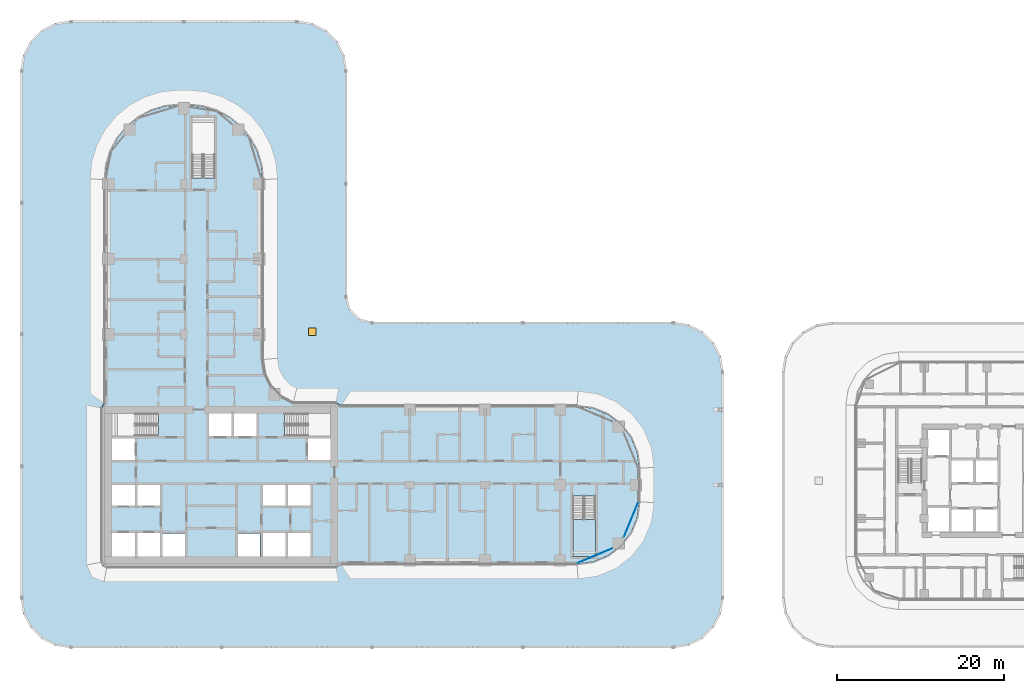
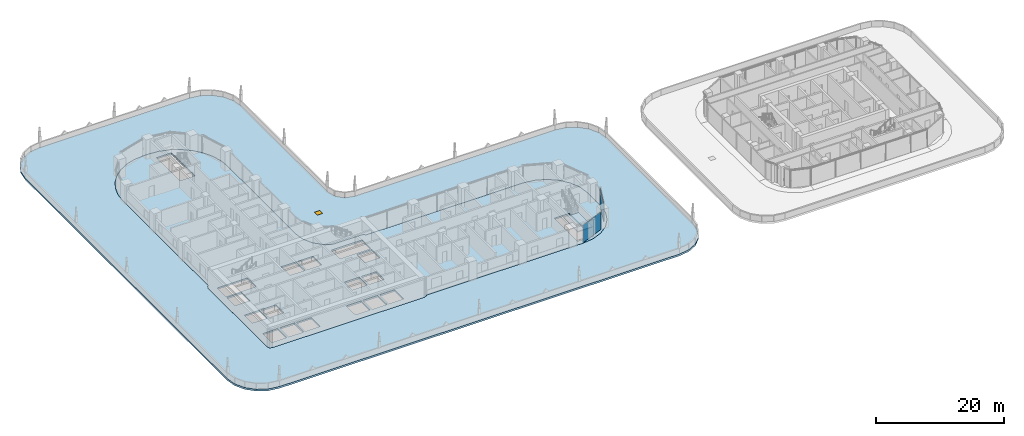
# One storey, part 17 of 51: 3 slabs, 2 plates, 1 window, 1 opening, 3 elements without a shape of their own.
"""IFC4 building model written with IfcOpenShell, lengths in metres."""

from ifc_helpers import new_model, si_unit, direction, frame, origin, origin_2d, place, context, subcontext, project, spatial, polyline, rectangle, outline, extrude, material, layer, layer_set, type_object, element, fill, aggregate, save


model = new_model("IFC4")

# Units and contexts
model_context = context("Model", 3, precision=1e-05, world=origin(), true_north=direction((0.0, 1.0)))
body_context = subcontext(model_context, "Body", "Model", "MODEL_VIEW")
ifc_project = project(units=[si_unit("LENGTHUNIT", "METRE"), si_unit("AREAUNIT", "SQUARE_METRE"), si_unit("VOLUMEUNIT", "CUBIC_METRE"), si_unit("PLANEANGLEUNIT", "RADIAN"), si_unit("MASSUNIT", "GRAM", prefix="KILO")], contexts=[model_context])

# Site, building, storey
site_placement = place(None, origin())
site = spatial("IfcSite", under=ifc_project, at=site_placement, CompositionType="ELEMENT")
building_placement = place(site_placement, origin())
building = spatial("IfcBuilding", under=site, at=building_placement, Name="Ogive Portal Towers", CompositionType="ELEMENT")
storey_placement = place(building_placement, frame((0.0, 0.0, 33.5)))
storey = spatial("IfcBuildingStorey", under=building, at=storey_placement, Name="L06", CompositionType="ELEMENT", Elevation=33.5)

# Curtain wall, plate
ifc_material_1 = material(Name="Glass, clear low-iron insulated glazing", Category="glass")
curtain_wall_type = type_object("IfcCurtainWallType", Name="CW FRONT RIBBON 4500", PredefinedType="NOTDEFINED", material=ifc_material_1)
curtain_wall_1_placement = place(storey_placement, origin())
curtain_wall_1 = element("IfcCurtainWall", 1, at=curtain_wall_1_placement, inside=storey, type_object=curtain_wall_type, Name="A:L06:f22:cwa~0", PredefinedType="NOTDEFINED")
ifc_layer_1 = layer(ifc_material_1, 0.028076171875)
ifc_layer_set_1 = layer_set([ifc_layer_1], Name="CW PANEL IGU 28")
plate_type = type_object("IfcPlateType", Name="CW PANEL IGU 28", PredefinedType="CURTAIN_PANEL", material=ifc_layer_set_1)
plate_1_placement = place(storey_placement, frame((89.616943359375, 22.03857421875, 0.0), z_axis=(0.0, 0.0, 1.0), x_axis=(0.923879532511, 0.382683432365, 0.0)))
plate_1 = element("IfcPlate", 2, at=plate_1_placement, type_object=plate_type, Name="panel", PredefinedType="CURTAIN_PANEL", context=body_context, shape_type="SweptSolid", body=[
    extrude(rectangle(XDim=4.557373046875, YDim=0.028076171875, at=origin_2d()), origin(), (0.0, 0.0, 1.0), 3.340087890625),
])
aggregate(curtain_wall_1, [plate_1])

curtain_wall_2_placement = place(storey_placement, origin())
curtain_wall_2 = element("IfcCurtainWall", 3, at=curtain_wall_2_placement, inside=storey, type_object=curtain_wall_type, Name="A:L06:f22:cwa~1", PredefinedType="NOTDEFINED")
plate_2_placement = place(storey_placement, frame((93.96142578125, 26.383056640625, 0.0), z_axis=(0.0, 0.0, 1.0), x_axis=(0.382683432365, 0.923879532511, 0.0)))
plate_2 = element("IfcPlate", 4, at=plate_2_placement, type_object=plate_type, Name="panel", PredefinedType="CURTAIN_PANEL", context=body_context, shape_type="SweptSolid", body=[
    extrude(rectangle(XDim=4.557373046875, YDim=0.028076171875, at=origin_2d()), origin(), (0.0, 0.0, 1.0), 3.340087890625),
])
aggregate(curtain_wall_2, [plate_2])

# Stair, slab
ifc_material_2 = material(Name="Concrete C40/50", Category="concrete")
stair_type = type_object("IfcStairType", Name="INT-STAIR", PredefinedType="HALF_TURN_STAIR", material=ifc_material_2)
stair_placement = place(storey_placement, origin())
stair = element("IfcStair", 5, at=stair_placement, inside=storey, type_object=stair_type, Name="L06 Exit Stair ST-A4", PredefinedType="HALF_TURN_STAIR")
ifc_layer_2 = layer(ifc_material_2, 0.199951171875)
ifc_layer_set_2 = layer_set([ifc_layer_2], Name="INT-LANDING")
slab_type_1 = type_object("IfcSlabType", Name="INT-LANDING", PredefinedType="LANDING", material=ifc_layer_set_2)
slab_1_placement = place(storey_placement, frame((0.0, 0.0, 1.64990234375)))
slab_1 = element("IfcSlab", 6, at=slab_1_placement, type_object=slab_type_1, Name="ST-A4 landing 1", PredefinedType="LANDING", context=body_context, shape_type="SweptSolid", body=[
    extrude(outline(polyline([(87.0, 26.3701171875), (87.0, 21.949951171875), (89.699951171875, 21.949951171875), (89.699951171875, 26.3701171875), (87.0, 26.3701171875)])), origin(), (0.0, 0.0, 1.0), 0.2001953125),
])
aggregate(stair, [slab_1])

# Slab
ifc_material_3 = material(Name="Concrete C45/55", Category="concrete")
ifc_layer_3 = layer(ifc_material_3, 0.300048828125)
ifc_layer_set_3 = layer_set([ifc_layer_3], Name="PT FLAT PLATE 300")
slab_type_2 = type_object("IfcSlabType", Name="PT FLAT PLATE 300", PredefinedType="FLOOR", material=ifc_layer_set_3)
slab_2_placement = place(storey_placement, frame((0.0, 0.0, -0.300048828125)))
element("IfcSlab", 7, at=slab_2_placement, inside=storey, type_object=slab_type_2, Name="Floor slab L06", PredefinedType="FLOOR", context=body_context, shape_type="SweptSolid", body=[
    extrude(outline(polyline([(89.421630859375, 39.672119140625), (87.5, 39.925048828125), (59.206787109375, 39.925048828125), (59.124267578125, 40.124267578125), (58.699951171875, 40.300048828125), (53.576904296875, 40.300048828125), (52.22314453125, 40.98974609375), (50.98974609375, 42.22314453125), (50.197998046875, 43.777099609375), (49.925048828125, 45.5), (49.925048828125, 67.0), (49.75341796875, 68.7412109375), (49.24560546875, 70.415283203125), (48.4208984375, 71.95849609375), (47.310791015625, 73.310791015625), (45.95849609375, 74.4208984375), (44.415283203125, 75.24560546875), (42.7412109375, 75.75341796875), (41.0, 75.925048828125), (40.0, 75.925048828125), (38.2587890625, 75.75341796875), (36.584716796875, 75.24560546875), (35.04150390625, 74.4208984375), (33.689208984375, 73.310791015625), (32.5791015625, 71.95849609375), (31.75439453125, 70.415283203125), (31.24658203125, 68.7412109375), (31.074951171875, 67.0), (31.074951171875, 40.206787109375), (30.875732421875, 40.124267578125), (30.699951171875, 39.699951171875), (30.699951171875, 21.300048828125), (30.875732421875, 20.875732421875), (31.300048828125, 20.699951171875), (58.699951171875, 20.699951171875), (59.124267578125, 20.875732421875), (59.206787109375, 21.074951171875), (87.5, 21.074951171875), (89.421630859375, 21.327880859375), (91.21240234375, 22.06982421875), (92.750244140625, 23.249755859375), (93.93017578125, 24.78759765625), (94.672119140625, 26.578369140625), (94.925048828125, 28.5), (94.925048828125, 32.5), (94.672119140625, 34.421630859375), (93.93017578125, 36.21240234375), (92.750244140625, 37.750244140625), (91.21240234375, 38.93017578125), (89.421630859375, 39.672119140625)]), holes=[polyline([(34.64990234375, 24.75), (34.64990234375, 21.949951171875), (31.949951171875, 21.949951171875), (31.949951171875, 24.75), (34.64990234375, 24.75)]), polyline([(37.64990234375, 24.75), (37.64990234375, 21.949951171875), (34.949951171875, 21.949951171875), (34.949951171875, 24.75), (37.64990234375, 24.75)]), polyline([(40.6298828125, 21.969970703125), (37.969970703125, 21.969970703125), (37.969970703125, 24.72998046875), (40.6298828125, 24.72998046875), (40.6298828125, 21.969970703125)]), polyline([(34.64990234375, 28.050048828125), (31.949951171875, 28.050048828125), (31.949951171875, 30.5), (34.64990234375, 30.5), (34.64990234375, 28.050048828125)]), polyline([(37.64990234375, 28.050048828125), (34.949951171875, 28.050048828125), (34.949951171875, 30.5), (37.64990234375, 30.5), (37.64990234375, 28.050048828125)]), polyline([(34.64990234375, 36.050048828125), (34.64990234375, 33.5), (31.949951171875, 33.5), (31.949951171875, 36.050048828125), (34.64990234375, 36.050048828125)]), polyline([(31.951904296875, 39.048095703125), (37.447998046875, 39.048095703125), (37.447998046875, 36.35205078125), (31.951904296875, 36.35205078125), (31.951904296875, 39.048095703125)]), polyline([(46.199951171875, 39.050048828125), (46.199951171875, 36.35009765625), (43.5, 36.35009765625), (43.5, 39.050048828125), (46.199951171875, 39.050048828125)]), polyline([(49.199951171875, 36.35009765625), (46.5, 36.35009765625), (46.5, 39.050048828125), (49.199951171875, 39.050048828125), (49.199951171875, 36.35009765625)]), polyline([(44.197998046875, 67.201904296875), (41.501953125, 67.201904296875), (41.501953125, 74.447998046875), (44.197998046875, 74.447998046875), (44.197998046875, 67.201904296875)]), polyline([(49.6298828125, 21.969970703125), (46.969970703125, 21.969970703125), (46.969970703125, 24.72998046875), (49.6298828125, 24.72998046875), (49.6298828125, 21.969970703125)]), polyline([(52.64990234375, 24.75), (52.64990234375, 21.949951171875), (49.949951171875, 21.949951171875), (49.949951171875, 24.75), (52.64990234375, 24.75)]), polyline([(55.64990234375, 21.949951171875), (52.949951171875, 21.949951171875), (52.949951171875, 24.75), (55.64990234375, 24.75), (55.64990234375, 21.949951171875)]), polyline([(87.001953125, 29.16796875), (89.697998046875, 29.16796875), (89.697998046875, 21.951904296875), (87.001953125, 21.951904296875), (87.001953125, 29.16796875)]), polyline([(52.64990234375, 30.5), (52.64990234375, 28.050048828125), (49.949951171875, 28.050048828125), (49.949951171875, 30.5), (52.64990234375, 30.5)]), polyline([(55.64990234375, 30.5), (55.64990234375, 28.050048828125), (52.949951171875, 28.050048828125), (52.949951171875, 30.5), (55.64990234375, 30.5)]), polyline([(58.050048828125, 33.5), (55.35009765625, 33.5), (55.35009765625, 36.050048828125), (58.050048828125, 36.050048828125), (58.050048828125, 33.5)]), polyline([(52.552001953125, 36.35205078125), (52.552001953125, 39.048095703125), (58.048095703125, 39.048095703125), (58.048095703125, 36.35205078125), (52.552001953125, 36.35205078125)])]), origin(), (0.0, 0.0, 1.0), 0.300048828125),
])

# Slab, opening, window
ifc_layer_4 = layer(ifc_material_2, 0.35009765625)
ifc_layer_set_4 = layer_set([ifc_layer_4], Name="ROOF SLAB 350")
slab_type_3 = type_object("IfcSlabType", Name="ROOF SLAB 350", PredefinedType="ROOF", material=ifc_layer_set_4)
slab_3_placement = place(storey_placement, frame((0.0, 0.0, -0.35009765625)))
slab_3 = element("IfcSlab", 8, at=slab_3_placement, inside=storey, type_object=slab_type_3, Name="Podium roof A", PredefinedType="ROOF", context=body_context, shape_type="SweptSolid", body=[
    extrude(outline(polyline([(21.293701171875, 81.85400390625), (22.14599609375, 83.526611328125), (23.473388671875, 84.85400390625), (25.14599609375, 85.706298828125), (27.0, 86.0), (54.0, 86.0), (55.85400390625, 85.706298828125), (57.526611328125, 84.85400390625), (58.85400390625, 83.526611328125), (59.706298828125, 81.85400390625), (60.0, 80.0), (60.0, 53.0), (60.40185546875, 51.5), (61.5, 50.40185546875), (63.0, 50.0), (99.0, 50.0), (100.85400390625, 49.706298828125), (102.526611328125, 48.85400390625), (103.85400390625, 47.526611328125), (104.706298828125, 45.85400390625), (105.0, 44.0), (105.0, 17.0), (104.706298828125, 15.14599609375), (103.85400390625, 13.473388671875), (102.526611328125, 12.14599609375), (100.85400390625, 11.293701171875), (99.0, 11.0), (27.0, 11.0), (25.14599609375, 11.293701171875), (23.473388671875, 12.14599609375), (22.14599609375, 13.473388671875), (21.293701171875, 15.14599609375), (21.0, 17.0), (21.0, 80.0), (21.293701171875, 81.85400390625)]), holes=[polyline([(59.203857421875, 39.932373046875), (59.124267578125, 40.124267578125), (58.699951171875, 40.300048828125), (58.699951171875, 40.300048828125), (53.576904296875, 40.300048828125), (53.098388671875, 40.543701171875), (52.22314453125, 40.98974609375), (50.98974609375, 42.22314453125), (50.56298828125, 43.060791015625), (50.197998046875, 43.777099609375), (49.925048828125, 45.5), (49.925048828125, 67.0), (49.75341796875, 68.7412109375), (49.24560546875, 70.41552734375), (48.8388671875, 71.176513671875), (48.4208984375, 71.95849609375), (47.8076171875, 72.70556640625), (47.31103515625, 73.31103515625), (46.70556640625, 73.8076171875), (45.95849609375, 74.4208984375), (45.176513671875, 74.8388671875), (44.41552734375, 75.24560546875), (42.7412109375, 75.75341796875), (41.0, 75.925048828125), (41.0, 75.925048828125), (41.0, 75.925048828125), (40.0, 75.925048828125), (38.2587890625, 75.75341796875), (36.58447265625, 75.24560546875), (35.823486328125, 74.8388671875), (35.04150390625, 74.4208984375), (34.29443359375, 73.8076171875), (33.68896484375, 73.31103515625), (33.1923828125, 72.70556640625), (32.5791015625, 71.95849609375), (32.1611328125, 71.176513671875), (31.75439453125, 70.41552734375), (31.24658203125, 68.7412109375), (31.074951171875, 67.0), (31.074951171875, 40.206787109375), (31.067626953125, 40.203857421875), (30.875732421875, 40.124267578125), (30.699951171875, 39.699951171875), (30.699951171875, 39.699951171875), (30.699951171875, 21.300048828125), (30.875732421875, 20.875732421875), (31.300048828125, 20.699951171875), (58.699951171875, 20.699951171875), (58.699951171875, 20.699951171875), (59.124267578125, 20.875732421875), (59.203857421875, 21.067626953125), (59.206787109375, 21.074951171875), (87.5, 21.074951171875), (89.421630859375, 21.327880859375), (91.21240234375, 22.06982421875), (91.834716796875, 22.54736328125), (92.750244140625, 23.249755859375), (93.45263671875, 24.165283203125), (93.93017578125, 24.78759765625), (94.672119140625, 26.578369140625), (94.925048828125, 28.5), (94.925048828125, 32.5), (94.672119140625, 34.421630859375), (93.93017578125, 36.21240234375), (93.45263671875, 36.834716796875), (92.750244140625, 37.750244140625), (91.834716796875, 38.45263671875), (91.21240234375, 38.93017578125), (89.421630859375, 39.672119140625), (87.5, 39.925048828125), (59.206787109375, 39.925048828125), (59.203857421875, 39.932373046875)])]), origin(), (0.0, 0.0, 1.0), 0.35009765625),
])
opening_placement = place(slab_3_placement, frame((55.87744140625, 48.82958984375, 0.0)))
opening = element("IfcOpeningElement", 9, at=opening_placement, cuts=slab_3, Name="Opening RH1", PredefinedType="OPENING", context=body_context, shape_type="SweptSolid", body=[
    extrude(rectangle(XDim=0.89990234375, YDim=0.89990234375, at=origin_2d()), origin(), (0.0, 0.0, 1.0), 0.35009765625),
])
ifc_material_4 = material(Name="Aluminium 6063 anodised", Category="aluminium")
window_type = type_object("IfcWindowType", Name="ROOF HATCH 900x900", PartitioningType="SINGLE_PANEL", PredefinedType="SKYLIGHT", material=ifc_material_4)
window_placement = place(opening_placement, frame((0.0, 0.0, 0.300048828125)))
window = element("IfcWindow", 10, at=window_placement, inside=storey, type_object=window_type, Name="Roof access hatch", OverallHeight=0.89990234375, OverallWidth=0.89990234375, PartitioningType="SINGLE_PANEL", PredefinedType="SKYLIGHT", context=body_context, shape_type="SweptSolid", body=[
    extrude(rectangle(XDim=0.89990234375, YDim=0.89990234375, at=origin_2d()), origin(), (0.0, 0.0, 1.0), 0.050048828125),
])
fill(opening, window)

save(model, "model.ifc")
